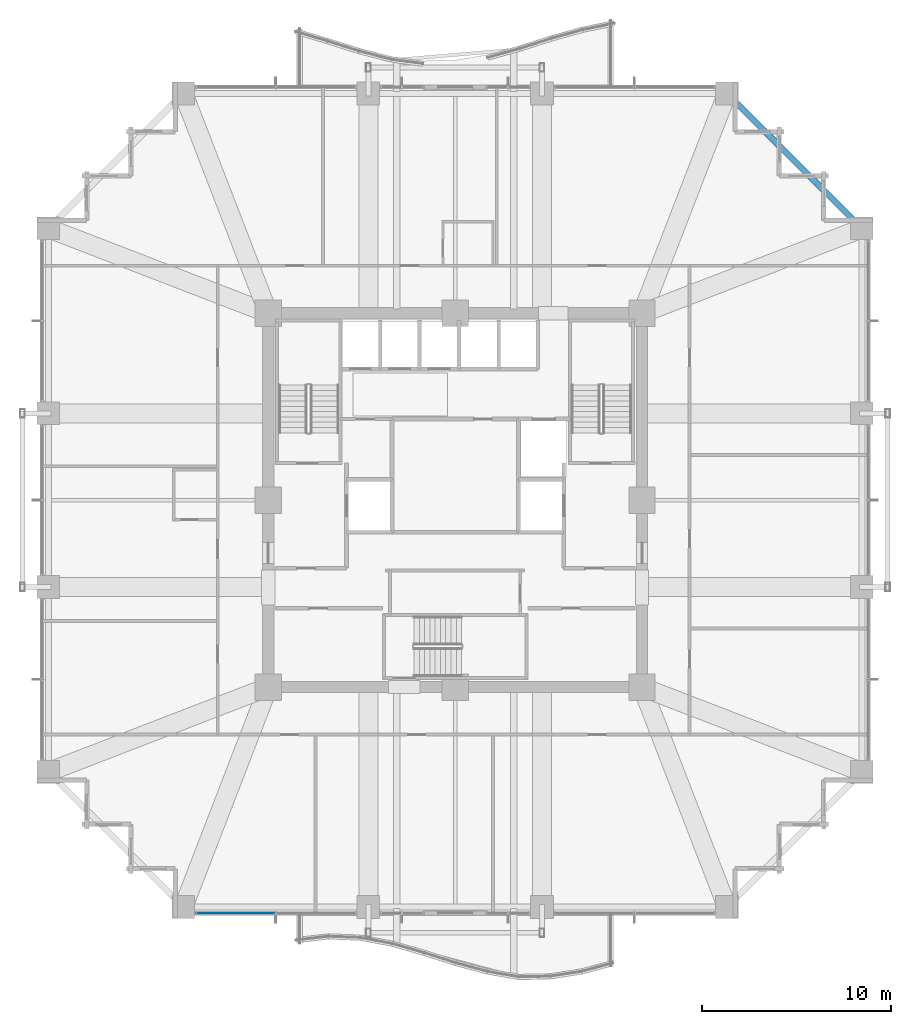
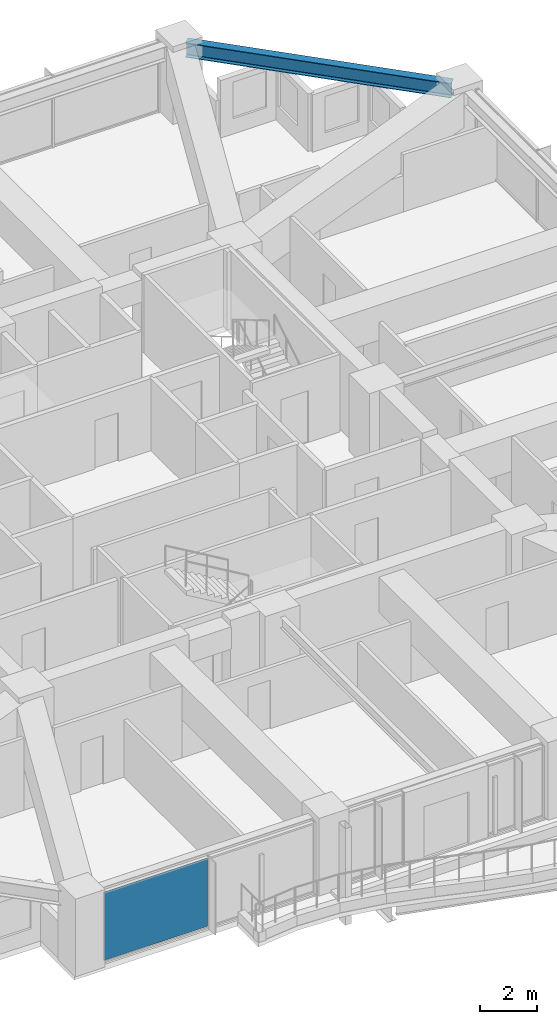
# One storey, part 25 of 37: 1 beam, 1 plate, 1 element without a shape of its own.
"""IFC4 building model written with IfcOpenShell, lengths in metres."""

from ifc_helpers import new_model, si_unit, direction, frame, origin, origin_2d, place, context, subcontext, project, spatial, rectangle, i_section, extrude, material, layer, layer_set, material_profile, profile_set, type_object, element, aggregate, save


model = new_model("IFC4")

# Units and contexts
model_context = context("Model", 3, precision=1e-05, world=origin(), true_north=direction((0.0, 1.0)))
body_context = subcontext(model_context, "Body", "Model", "MODEL_VIEW")
ifc_project = project(units=[si_unit("LENGTHUNIT", "METRE"), si_unit("AREAUNIT", "SQUARE_METRE"), si_unit("VOLUMEUNIT", "CUBIC_METRE"), si_unit("PLANEANGLEUNIT", "RADIAN"), si_unit("MASSUNIT", "GRAM", prefix="KILO")], contexts=[model_context])

# Site, building, storey
site_placement = place(None, origin())
site = spatial("IfcSite", under=ifc_project, at=site_placement, CompositionType="ELEMENT")
building_placement = place(site_placement, origin())
building = spatial("IfcBuilding", under=site, at=building_placement, Name="Kolvaren Belvedere", CompositionType="ELEMENT")
storey_placement = place(building_placement, frame((0.0, 0.0, 43.60009765625)))
storey = spatial("IfcBuildingStorey", under=building, at=storey_placement, Name="L12", CompositionType="ELEMENT", Elevation=43.60009765625)

# Beam
ifc_material_1 = material(Name="Structural steel ASTM A992 Grade 50", Category="steel")
ifc_material_profile = material_profile(ifc_material_1, i_section(OverallWidth=0.324951171875, OverallDepth=0.615966796875, WebThickness=0.013916015625, FlangeThickness=0.021484375, FilletRadius=0.02001953125, at=origin_2d()), Name="W24X117")
ifc_profile_set = profile_set([ifc_material_profile], Name="Structural steel ASTM A992 Grade 50")
beam_type = type_object("IfcBeamType", Name="BM-SPAN-W24X117", PredefinedType="SPANDREL", material=ifc_profile_set)
beam_placement = place(storey_placement, frame((21.359130859375, 14.5908203125, 2.751953125), z_axis=(-0.707106781187, 0.707106781187, 0.0), x_axis=(-0.707106781187, -0.707106781187, 0.0)))
element("IfcBeam", 1, at=beam_placement, inside=storey, type_object=beam_type, Name="L12 Perimeter Spandrel E4-N4", PredefinedType="SPANDREL", context=body_context, shape_type="SweptSolid", body=[
    extrude(i_section(OverallWidth=0.324951171875, OverallDepth=0.615966796875, WebThickness=0.013916015625, FlangeThickness=0.021484375, FilletRadius=0.02001953125, at=origin_2d()), origin(), (0.0, 0.0, 1.0), 9.57177734375),
])

# Curtain wall, plate
ifc_material_2 = material(Name="Anodised pale-metal aluminium AA 6063-T6", Category="aluminium")
curtain_wall_type = type_object("IfcCurtainWallType", Name="CW-Z1-LOW", PredefinedType="NOTDEFINED", material=ifc_material_2)
curtain_wall_placement = place(storey_placement, origin())
curtain_wall = element("IfcCurtainWall", 2, at=curtain_wall_placement, inside=storey, type_object=curtain_wall_type, Name="L12 Unitised Curtain Wall FCW-L12-S2-B2", PredefinedType="NOTDEFINED")
ifc_material_3 = material(Name="Low-iron triple insulated glass", Category="glass")
ifc_layer = layer(ifc_material_3, 0.028076171875)
ifc_layer_set = layer_set([ifc_layer], Name="Low-iron triple insulated glass")
plate_type = type_object("IfcPlateType", Name="CW-PNL-VIS28", PredefinedType="CURTAIN_PANEL", material=ifc_layer_set)
plate_placement = place(storey_placement, frame((-11.62255859375, -21.8798828125, 0.079833984375), z_axis=(0.0, 0.0, 1.0), x_axis=(-1.0, 0.0, 0.0)))
plate = element("IfcPlate", 3, at=plate_placement, type_object=plate_type, Name="FCW-L12-S2-B2 Vision Glazing Panel 2", PredefinedType="CURTAIN_PANEL", context=body_context, shape_type="SweptSolid", body=[
    extrude(rectangle(XDim=4.1650390625, YDim=0.028076171875, at=origin_2d()), origin(), (0.0, 0.0, 1.0), 2.89990234375),
])
aggregate(curtain_wall, [plate])

save(model, "model.ifc")
